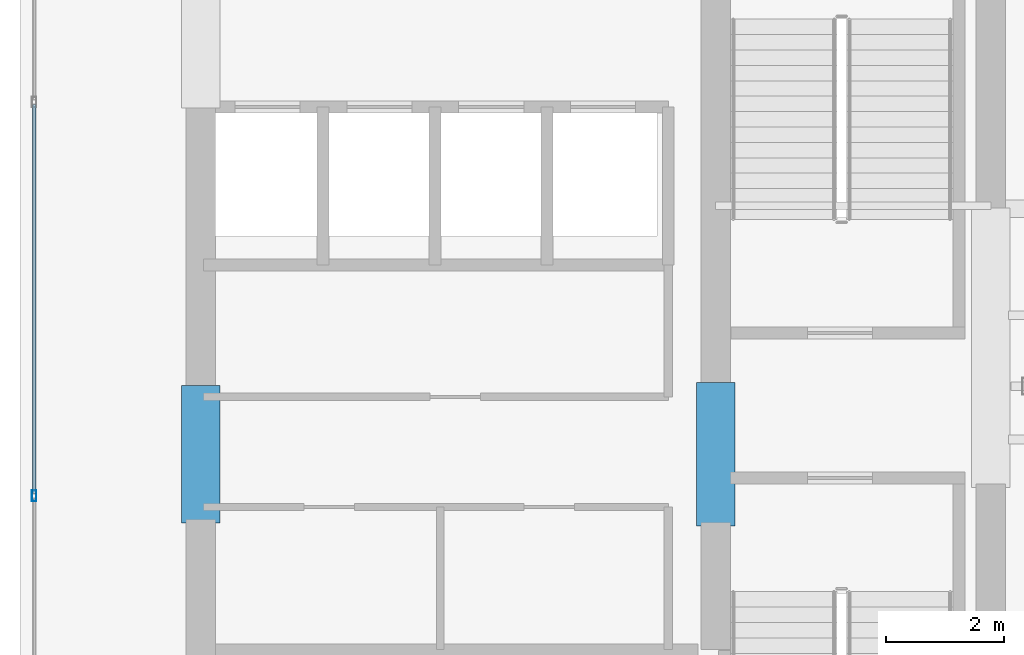
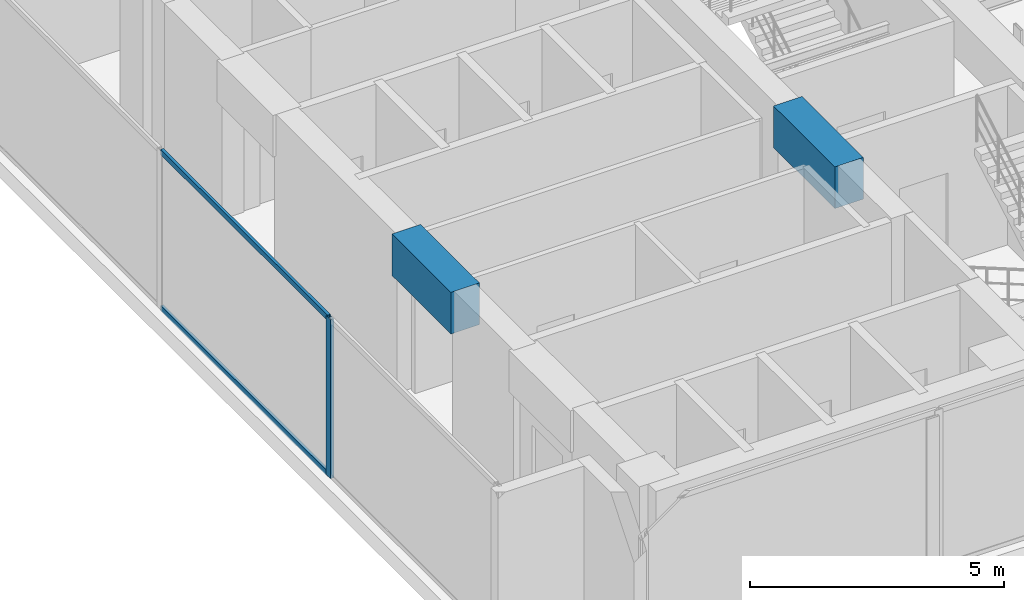
# One storey, part 4 of 32: 3 members, 2 beams, 1 element without a shape of its own.
"""IFC4 building model written with IfcOpenShell, lengths in metres."""

from ifc_helpers import new_model, si_unit, direction, frame, origin, origin_with_axes, origin_2d, place, context, subcontext, project, spatial, rectangle, hollow_rectangle, extrude, source, transform, mapped, material, layer, layer_set, material_profile, profile_set, type_object, element, aggregate, save


model = new_model("IFC4")

# Units and contexts
model_context = context("Model", 3, precision=1e-05, world=origin(), true_north=direction((0.0, 1.0)))
body_context = subcontext(model_context, "Body", "Model", "MODEL_VIEW")
ifc_project = project(units=[si_unit("LENGTHUNIT", "METRE"), si_unit("AREAUNIT", "SQUARE_METRE"), si_unit("VOLUMEUNIT", "CUBIC_METRE"), si_unit("PLANEANGLEUNIT", "RADIAN"), si_unit("MASSUNIT", "GRAM", prefix="KILO")], contexts=[model_context])

# Site, building, storey
site_placement = place(None, origin())
site = spatial("IfcSite", under=ifc_project, at=site_placement, CompositionType="ELEMENT")
building_placement = place(site_placement, origin())
building = spatial("IfcBuilding", under=site, at=building_placement, Name="Kolvaren Waterfront Exchange", CompositionType="ELEMENT")
storey_placement = place(building_placement, frame((0.0, 0.0, 352.0)))
storey = spatial("IfcBuildingStorey", under=building, at=storey_placement, Name="L90", CompositionType="ELEMENT", Elevation=352.0)

# Beams
ifc_material_1 = material(Name="Concrete C60/75", Category="concrete")
ifc_material_profile_1 = material_profile(ifc_material_1, rectangle(XDim=0.64990234375, YDim=1.0, at=origin_2d()), Name="RC-CB-1000x650")
ifc_profile_set_1 = profile_set([ifc_material_profile_1], Name="Concrete C60/75")
beam_type = type_object("IfcBeamType", Name="STR-CB-1000", PredefinedType="SPANDREL", material=ifc_profile_set_1)
beam_1_placement = place(storey_placement, frame((7.449951171875, 12.090087890625, 3.320068359375), z_axis=(0.0, 1.0, 0.0), x_axis=(-1.0, 0.0, 0.0)))
element("IfcBeam", 1, at=beam_1_placement, inside=storey, type_object=beam_type, Name="L90 core coupling beam 4", PredefinedType="SPANDREL", context=body_context, shape_type="SweptSolid", body=[
    extrude(rectangle(XDim=0.64990234375, YDim=1.0, at=origin_2d()), origin(), (0.0, 0.0, 1.0), 2.31982421875),
])
beam_2_placement = place(storey_placement, frame((16.14990234375, 12.0400390625, 3.320068359375), z_axis=(0.0, 1.0, 0.0), x_axis=(-1.0, 0.0, 0.0)))
element("IfcBeam", 2, at=beam_2_placement, inside=storey, type_object=beam_type, Name="L90 core coupling beam 6", PredefinedType="SPANDREL", context=body_context, shape_type="SweptSolid", body=[
    extrude(rectangle(XDim=0.64990234375, YDim=1.0, at=origin_2d()), origin(), (0.0, 0.0, 1.0), 2.419921875),
])

# Curtain wall, members
ifc_material_2 = material(Name="Anodised bronze aluminium 6063-T6", Category="aluminium")
ifc_layer = layer(ifc_material_2, 0.219970703125, Name="Anodised bronze aluminium 6063-T6")
ifc_layer_set = layer_set([ifc_layer], Name="Anodised bronze aluminium 6063-T6")
curtain_wall_type = type_object("IfcCurtainWallType", Name="ARC-CW-SYS5", PredefinedType="USERDEFINED", material=ifc_layer_set)
curtain_wall_placement = place(storey_placement, origin())
curtain_wall = element("IfcCurtainWall", 3, at=curtain_wall_placement, inside=storey, type_object=curtain_wall_type, Name="L90 stick curtain wall CW5 (CW-L90-W)", ObjectType="STICK CURTAIN WALL", PredefinedType="USERDEFINED")
ifc_material_profile_2 = material_profile(ifc_material_2, hollow_rectangle(XDim=0.06494140625, YDim=0.1298828125, WallThickness=0.00390625, at=origin_2d()), Name="ALU-TRN-130x65x4")
ifc_profile_set_2 = profile_set([ifc_material_profile_2], Name="Anodised bronze aluminium 6063-T6")
member_type_1 = type_object("IfcMemberType", Name="ARC-CWT-130", PredefinedType="USERDEFINED", material=ifc_profile_set_2)
shared_shape_1 = source(origin_with_axes(), body_context, "Body", "SweptSolid", [
    extrude(hollow_rectangle(XDim=0.06494140625, YDim=0.1298828125, WallThickness=0.00390625, at=origin_2d()), origin(), (0.0, 0.0, 1.0), 6.5751953125),
])
member_1_placement = place(storey_placement, frame((4.639892578125, 12.58740234375, 0.032470703125), z_axis=(0.0, 1.0, 0.0), x_axis=(-1.0, 0.0, 0.0)))
member_1 = element("IfcMember", 4, at=member_1_placement, type_object=member_type_1, Name="CW5 transom 2.1", ObjectType="TRANSOM", PredefinedType="USERDEFINED", context=body_context, shape_type="MappedRepresentation", body=[
    mapped(shared_shape_1, transform((0.0, 0.0, 0.0), x_axis=(1.0, 0.0, 0.0), y_axis=(0.0, 1.0, 0.0), z_axis=(0.0, 0.0, 1.0), scale=1.0)),
])
member_2_placement = place(storey_placement, frame((4.639892578125, 12.58740234375, 3.78759765625), z_axis=(0.0, 1.0, 0.0), x_axis=(-1.0, 0.0, 0.0)))
member_2 = element("IfcMember", 5, at=member_2_placement, type_object=member_type_1, Name="CW5 transom 2.2", ObjectType="TRANSOM", PredefinedType="USERDEFINED", context=body_context, shape_type="MappedRepresentation", body=[
    mapped(shared_shape_1, transform((0.0, 0.0, 0.0), x_axis=(1.0, 0.0, 0.0), y_axis=(0.0, 1.0, 0.0), z_axis=(0.0, 0.0, 1.0), scale=1.0)),
])
ifc_material_profile_3 = material_profile(ifc_material_2, hollow_rectangle(XDim=0.074951171875, YDim=0.179931640625, WallThickness=0.00439453125, at=origin_2d()), Name="ALU-MUL-180x75x4.5")
ifc_profile_set_3 = profile_set([ifc_material_profile_3], Name="Anodised bronze aluminium 6063-T6")
member_type_2 = type_object("IfcMemberType", Name="ARC-CWM-180", PredefinedType="MULLION", material=ifc_profile_set_3)
shared_shape_2 = source(origin_with_axes(), body_context, "Body", "SweptSolid", [
    extrude(hollow_rectangle(XDim=0.074951171875, YDim=0.179931640625, WallThickness=0.00439453125, at=origin_2d()), origin(), (0.0, 0.0, 1.0), 3.820068359375),
])
member_3_placement = place(storey_placement, frame((4.639892578125, 12.550048828125, 0.0), z_axis=(0.0, 0.0, 1.0), x_axis=(-1.0, 0.0, 0.0)))
member_3 = element("IfcMember", 6, at=member_3_placement, type_object=member_type_2, Name="CW5 mullion 2", PredefinedType="MULLION", context=body_context, shape_type="MappedRepresentation", body=[
    mapped(shared_shape_2, transform((0.0, 0.0, 0.0), x_axis=(1.0, 0.0, 0.0), y_axis=(0.0, 1.0, 0.0), z_axis=(0.0, 0.0, 1.0), scale=1.0)),
])
aggregate(curtain_wall, [member_3, member_1, member_2])

save(model, "model.ifc")
